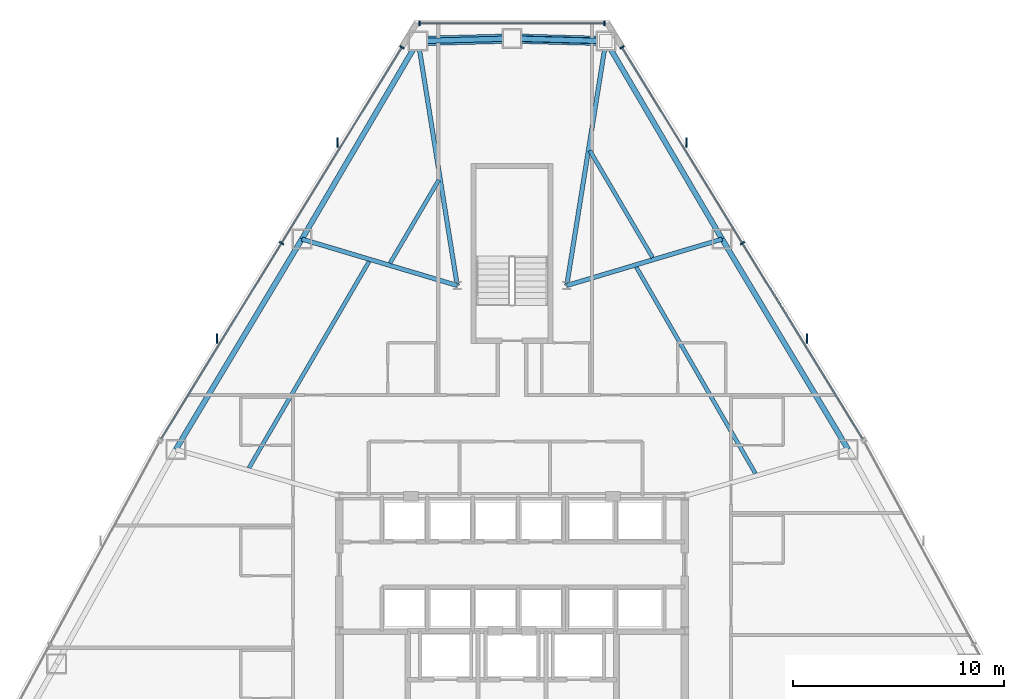
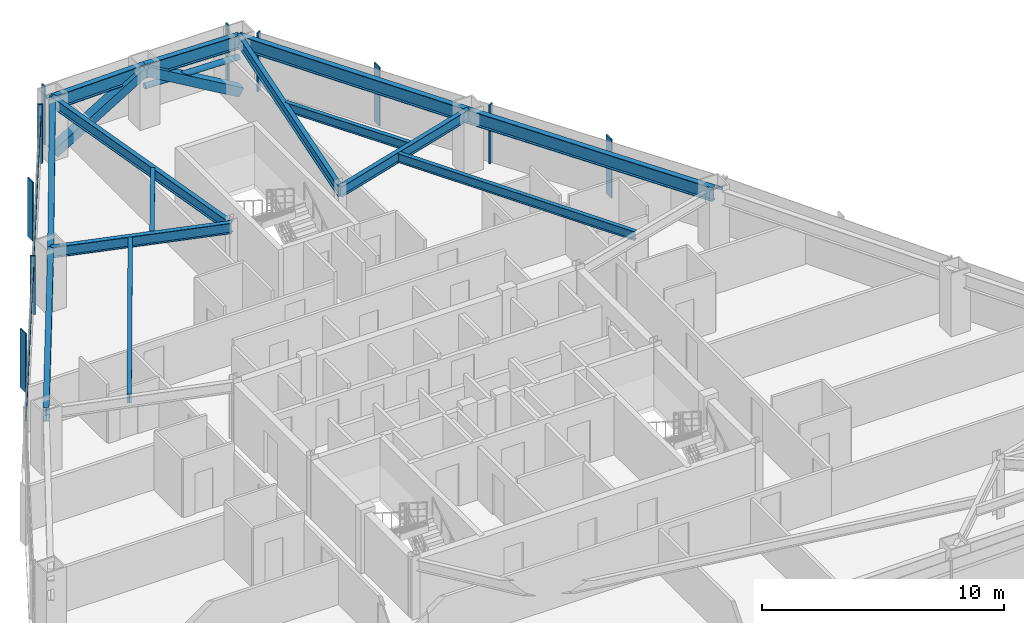
# One storey, part 7 of 14: 16 members, 14 beams, 3 elements without a shape of their own.
"""IFC4 building model written with IfcOpenShell, lengths in metres."""

from ifc_helpers import new_model, si_unit, direction, frame, origin, origin_2d, place, context, subcontext, project, spatial, rectangle, hollow_rectangle, hollow_circle, i_section, extrude, source, transform, mapped, material, layer, layer_set, material_profile, profile_set, type_object, type_shapes, element, aggregate, save


model = new_model("IFC4")

# Units and contexts
model_context = context("Model", 3, precision=1e-05, world=origin(), true_north=direction((0.0, 1.0)))
body_context = subcontext(model_context, "Body", "Model", "MODEL_VIEW")
ifc_project = project(units=[si_unit("LENGTHUNIT", "METRE"), si_unit("AREAUNIT", "SQUARE_METRE"), si_unit("VOLUMEUNIT", "CUBIC_METRE"), si_unit("PLANEANGLEUNIT", "RADIAN"), si_unit("MASSUNIT", "GRAM", prefix="KILO")], contexts=[model_context])

# Site, building, storey
site_placement = place(None, origin())
site = spatial("IfcSite", under=ifc_project, at=site_placement, CompositionType="ELEMENT")
building_placement = place(site_placement, origin())
building = spatial("IfcBuilding", under=site, at=building_placement, Name="Varakhsha Concourse Tower", CompositionType="ELEMENT")
storey_placement = place(building_placement, frame((0.0, 0.0, 105.39990234375)))
storey = spatial("IfcBuildingStorey", under=building, at=storey_placement, Name="L30", CompositionType="ELEMENT", Elevation=105.39990234375)

# Beams
ifc_material_1 = material(Name="Structural Steel ASTM A992 Grade 50", Category="steel")
ifc_material_profile_1 = material_profile(ifc_material_1, i_section(OverallWidth=0.19091796875, OverallDepth=0.45703125, WebThickness=0.009033203125, FlangeThickness=0.013916015625, at=origin_2d()), Name="W18X50")
ifc_profile_set_1 = profile_set([ifc_material_profile_1], Name="Structural Steel ASTM A992 Grade 50")
beam_type_1 = type_object("IfcBeamType", Name="BM-JST-W18X50", PredefinedType="JOIST", material=ifc_profile_set_1)
beam_1_placement = place(storey_placement, frame((36.526611328125, 46.212646484375, 2.74169921875), z_axis=(-0.50607121558, -0.862491695474, 0.0), x_axis=(0.862491695474, -0.50607121558, 0.0)))
element("IfcBeam", 1, at=beam_1_placement, inside=storey, type_object=beam_type_1, Name="BM-TJST-L30-03", PredefinedType="JOIST", context=body_context, shape_type="SweptSolid", body=[
    extrude(i_section(OverallWidth=0.19091796875, OverallDepth=0.45703125, WebThickness=0.009033203125, FlangeThickness=0.013916015625, at=origin_2d()), origin(), (0.0, 0.0, 1.0), 4.57763671875),
])
beam_2_placement = place(storey_placement, frame((33.2138671875, 42.339111328125, 2.74169921875), z_axis=(-0.502984798182, -0.864295257882, 0.0), x_axis=(0.864295257882, -0.502984798182, 0.0)))
element("IfcBeam", 2, at=beam_2_placement, inside=storey, type_object=beam_type_1, Name="BM-TJST-L30-04", PredefinedType="JOIST", context=body_context, shape_type="SweptSolid", body=[
    extrude(i_section(OverallWidth=0.19091796875, OverallDepth=0.45703125, WebThickness=0.009033203125, FlangeThickness=0.013916015625, at=origin_2d()), origin(), (0.0, 0.0, 1.0), 11.342529296875),
])
beam_3_placement = place(storey_placement, frame((51.560302734375, 32.27001953125, 2.74169921875), z_axis=(-0.499938383188, 0.866060975345, 0.0), x_axis=(-0.866060975345, -0.499938383188, 0.0)))
element("IfcBeam", 3, at=beam_3_placement, inside=storey, type_object=beam_type_1, Name="BM-TJST-L30-17", PredefinedType="JOIST", context=body_context, shape_type="SweptSolid", body=[
    extrude(i_section(OverallWidth=0.19091796875, OverallDepth=0.45703125, WebThickness=0.009033203125, FlangeThickness=0.013916015625, at=origin_2d()), origin(), (0.0, 0.0, 1.0), 11.32080078125),
])
beam_4_placement = place(storey_placement, frame((46.67529296875, 42.529052734375, 2.74169921875), z_axis=(-0.506102653482, 0.862473248361, 0.0), x_axis=(-0.862473248361, -0.506102653482, 0.0)))
element("IfcBeam", 4, at=beam_4_placement, inside=storey, type_object=beam_type_1, Name="BM-TJST-L30-18", PredefinedType="JOIST", context=body_context, shape_type="SweptSolid", body=[
    extrude(i_section(OverallWidth=0.19091796875, OverallDepth=0.45703125, WebThickness=0.009033203125, FlangeThickness=0.013916015625, at=origin_2d()), origin(), (0.0, 0.0, 1.0), 5.88623046875),
])
ifc_material_profile_2 = material_profile(ifc_material_1, i_section(OverallWidth=0.2109375, OverallDepth=0.5390625, WebThickness=0.011962890625, FlangeThickness=0.01904296875, at=origin_2d()), Name="W21X73")
ifc_profile_set_2 = profile_set([ifc_material_profile_2], Name="Structural Steel ASTM A992 Grade 50")
beam_type_2 = type_object("IfcBeamType", Name="BM-RAD-W21X73", PredefinedType="BEAM", material=ifc_profile_set_2)
for number, where, z_axis, x_axis, name in (
    (5, (42.60009765625, 41.199951171875, 2.70068359375), (0.158084457656, 0.987425594284, 0.0), (-0.987425594284, 0.158084457656, 0.0), "L30 Radial Floor Girder 01"),
    (6, (37.39990234375, 41.199951171875, 2.70068359375), (-0.158084457656, 0.987425594284, 0.0), (-0.987425594284, -0.158084457656, 0.0), "L30 Radial Floor Girder 03"),
):
    element("IfcBeam", number, at=place(storey_placement, frame(where, z_axis=z_axis, x_axis=x_axis)), inside=storey, type_object=beam_type_2, Name=name, PredefinedType="BEAM", context=body_context, shape_type="SweptSolid", body=[
        extrude(i_section(OverallWidth=0.2109375, OverallDepth=0.5390625, WebThickness=0.011962890625, FlangeThickness=0.01904296875, at=origin_2d()), origin(), (0.0, 0.0, 1.0), 11.755615234375),
    ])
for number, where, z_axis, x_axis, name in (
    (7, (37.39990234375, 41.199951171875, 2.70068359375), (-0.958150359445, 0.286265416519, 0.0), (-0.286265416519, -0.958150359445, 0.0), "L30 Radial Floor Girder 04"),
    (8, (42.60009765625, 41.199951171875, 2.70068359375), (0.958150359445, 0.286265416519, 0.0), (-0.286265416519, 0.958150359445, 0.0), "L30 Radial Floor Girder 18"),
):
    element("IfcBeam", number, at=place(storey_placement, frame(where, z_axis=z_axis, x_axis=x_axis)), inside=storey, type_object=beam_type_2, Name=name, PredefinedType="BEAM", context=body_context, shape_type="SweptSolid", body=[
        extrude(i_section(OverallWidth=0.2109375, OverallDepth=0.5390625, WebThickness=0.011962890625, FlangeThickness=0.01904296875, at=origin_2d()), origin(), (0.0, 0.0, 1.0), 7.69873046875),
    ])
ifc_material_profile_3 = material_profile(ifc_material_1, i_section(OverallWidth=0.25390625, OverallDepth=0.701904296875, WebThickness=0.014892578125, FlangeThickness=0.028076171875, at=origin_2d()), Name="W27X129")
ifc_profile_set_3 = profile_set([ifc_material_profile_3], Name="Structural Steel ASTM A992 Grade 50")
beam_type_3 = type_object("IfcBeamType", Name="BM-SPAN-W27X129", PredefinedType="SPANDREL", material=ifc_profile_set_3)
for number, where, z_axis, x_axis, name in (
    (9, (44.45849609375, 52.807861328125, 2.619140625), (-0.999638755759, 0.026876718272, 0.0), (-0.026876718272, -0.999638755759, 0.0), "BM-SPAN-L30-01"),
    (10, (40.0, 52.927734375, 2.619140625), (-0.999638755759, -0.026876718272, 0.0), (0.026876718272, -0.999638755759, 0.0), "BM-SPAN-L30-02"),
):
    element("IfcBeam", number, at=place(storey_placement, frame(where, z_axis=z_axis, x_axis=x_axis)), inside=storey, type_object=beam_type_3, Name=name, PredefinedType="SPANDREL", context=body_context, shape_type="SweptSolid", body=[
        extrude(i_section(OverallWidth=0.25390625, OverallDepth=0.701904296875, WebThickness=0.014892578125, FlangeThickness=0.028076171875, at=origin_2d()), origin(), (0.0, 0.0, 1.0), 4.460205078125),
    ])
beam_5_placement = place(storey_placement, frame((35.54150390625, 52.807861328125, 2.619140625), z_axis=(-0.506084350655, -0.86248398827, 0.0), x_axis=(0.86248398827, -0.506084350655, 0.0)))
element("IfcBeam", 11, at=beam_5_placement, inside=storey, type_object=beam_type_3, Name="BM-SPAN-L30-03", PredefinedType="SPANDREL", context=body_context, shape_type="SweptSolid", body=[
    extrude(i_section(OverallWidth=0.25390625, OverallDepth=0.701904296875, WebThickness=0.014892578125, FlangeThickness=0.028076171875, at=origin_2d()), origin(), (0.0, 0.0, 1.0), 10.903564453125),
])
for number, where, z_axis, x_axis, name in (
    (12, (30.0234375, 43.40380859375, 2.619140625), (-0.513999251176, -0.857790632841, 0.0), (0.857790632841, -0.513999251176, 0.0), "BM-SPAN-L30-04"),
    (13, (55.961669921875, 33.41552734375, 2.619140625), (-0.513999251176, 0.857790632841, 0.0), (-0.857790632841, -0.513999251176, 0.0), "BM-SPAN-L30-17"),
):
    element("IfcBeam", number, at=place(storey_placement, frame(where, z_axis=z_axis, x_axis=x_axis)), inside=storey, type_object=beam_type_3, Name=name, PredefinedType="SPANDREL", context=body_context, shape_type="SweptSolid", body=[
        extrude(i_section(OverallWidth=0.25390625, OverallDepth=0.701904296875, WebThickness=0.014892578125, FlangeThickness=0.028076171875, at=origin_2d()), origin(), (0.0, 0.0, 1.0), 11.644287109375),
    ])
beam_6_placement = place(storey_placement, frame((49.9765625, 43.40380859375, 2.619140625), z_axis=(-0.506084350655, 0.86248398827, 0.0), x_axis=(-0.86248398827, -0.506084350655, 0.0)))
element("IfcBeam", 14, at=beam_6_placement, inside=storey, type_object=beam_type_3, Name="BM-SPAN-L30-18", PredefinedType="SPANDREL", context=body_context, shape_type="SweptSolid", body=[
    extrude(i_section(OverallWidth=0.25390625, OverallDepth=0.701904296875, WebThickness=0.014892578125, FlangeThickness=0.028076171875, at=origin_2d()), origin(), (0.0, 0.0, 1.0), 10.903564453125),
])

# Members
ifc_material_2 = material(Name="Structural Steel ASTM A500 Grade C", Category="steel")
ifc_material_profile_4 = material_profile(ifc_material_2, hollow_rectangle(XDim=0.449951171875, YDim=0.449951171875, WallThickness=0.01904296875, at=origin_2d()), Name="HSS 450x450x19")
ifc_profile_set_4 = profile_set([ifc_material_profile_4], Name="Structural Steel ASTM A500 Grade C")
member_type_1 = type_object("IfcMemberType", Name="MB-TUBE-HSS450", PredefinedType="BRACE", material=ifc_profile_set_4)
shared_shape_1 = source(origin(), body_context, "Body", "SweptSolid", [
    extrude(hollow_rectangle(XDim=0.449951171875, YDim=0.449951171875, WallThickness=0.01904296875, at=origin_2d()), origin(), (0.0, 0.0, 1.0), 5.1376953125),
])
type_shapes(member_type_1, [shared_shape_1])
for number, where, z_axis, x_axis, name in (
    (15, (44.45849609375, 52.807861328125, 0.1201171875), (-0.867810778651, 0.023332334482, 0.496346708083), (-0.026876718272, -0.999638755759, 0.0), "L30 Wind-Corner Tube Brace B01"),
    (16, (35.54150390625, 52.807861328125, 0.1201171875), (0.867810778651, 0.023332334482, 0.496346708083), (-0.026876718272, 0.999638755759, 0.0), "L30 Wind-Corner Tube Brace B02"),
):
    element("IfcMember", number, at=place(storey_placement, frame(where, z_axis=z_axis, x_axis=x_axis)), inside=storey, type_object=member_type_1, Name=name, PredefinedType="BRACE", context=body_context, shape_type="MappedRepresentation", body=[
        mapped(shared_shape_1, transform((0.0, 0.0, 0.0), scale=1.0)),
    ])
ifc_material_profile_5 = material_profile(ifc_material_2, hollow_circle(Radius=0.136474609375, WallThickness=0.011962890625, at=origin_2d()), Name="CHS 273x12")
ifc_profile_set_5 = profile_set([ifc_material_profile_5], Name="Structural Steel ASTM A500 Grade C")
member_type_2 = type_object("IfcMemberType", Name="MB-WIND-CHS273", PredefinedType="COLLAR", material=ifc_profile_set_5)
shared_shape_2 = source(origin(), body_context, "Body", "SweptSolid", [
    extrude(hollow_circle(Radius=0.136474609375, WallThickness=0.011962890625, at=origin_2d()), origin(), (0.0, 0.0, 1.0), 4.460205078125),
])
type_shapes(member_type_2, [shared_shape_2])
member_1_placement = place(storey_placement, frame((44.45849609375, 52.807861328125, 1.800048828125), z_axis=(-0.999638755759, 0.026876718272, 0.0), x_axis=(-0.026876718272, -0.999638755759, 0.0)))
element("IfcMember", 17, at=member_1_placement, inside=storey, type_object=member_type_2, Name="L30 Wind-Corner Collar Tie 1", PredefinedType="COLLAR", context=body_context, shape_type="MappedRepresentation", body=[
    mapped(shared_shape_2, transform((0.0, 0.0, 0.0), scale=1.0)),
])

# Curtain wall, members
ifc_material_3 = material(Name="Anodised Bronze Architectural Aluminium AA 6063-T6", Category="aluminium")
ifc_layer = layer(ifc_material_3, 0.199951171875, Name="CW-SYS-03")
ifc_layer_set = layer_set([ifc_layer], Name="Anodised Bronze Architectural Aluminium AA 6063-T6")
curtain_wall_type = type_object("IfcCurtainWallType", Name="CW-SYS-03", PredefinedType="NOTDEFINED", material=ifc_layer_set)
curtain_wall_1_placement = place(storey_placement, origin())
curtain_wall_1 = element("IfcCurtainWall", 18, at=curtain_wall_1_placement, inside=storey, type_object=curtain_wall_type, Name="L30 Chamfer Curtain Wall F1", PredefinedType="NOTDEFINED")
ifc_material_profile_6 = material_profile(ifc_material_3, rectangle(XDim=0.074951171875, YDim=0.219970703125, at=origin_2d()), Name="CWM-220X75")
ifc_profile_set_6 = profile_set([ifc_material_profile_6], Name="Anodised Bronze Architectural Aluminium AA 6063-T6")
member_type_3 = type_object("IfcMemberType", Name="CWM-220X75", PredefinedType="MULLION", material=ifc_profile_set_6)
shared_shape_3 = source(origin(), body_context, "Body", "SweptSolid", [
    extrude(rectangle(XDim=0.074951171875, YDim=0.219970703125, at=origin_2d()), origin(), (0.0, 0.0, 1.0), 2.97021484375),
])
type_shapes(member_type_3, [shared_shape_3])
member_2_placement = place(storey_placement, frame((35.605712890625, 53.647705078125, 0.0), z_axis=(0.0, 0.0, 1.0), x_axis=(1.0, 0.0, 0.0)))
member_2 = element("IfcMember", 19, at=member_2_placement, type_object=member_type_3, Name="CW-L30-F1 Mullion 00", PredefinedType="MULLION", context=body_context, shape_type="MappedRepresentation", body=[
    mapped(shared_shape_3, transform((0.0, 0.0, 0.0), scale=1.0)),
])
member_3_placement = place(storey_placement, frame((44.394287109375, 53.647705078125, 0.0), z_axis=(0.0, 0.0, 1.0), x_axis=(1.0, 0.0, 0.0)))
member_3 = element("IfcMember", 20, at=member_3_placement, type_object=member_type_3, Name="CW-L30-F1 Mullion 01", PredefinedType="MULLION", context=body_context, shape_type="MappedRepresentation", body=[
    mapped(shared_shape_3, transform((0.0, 0.0, 0.0), scale=1.0)),
])

curtain_wall_2_placement = place(storey_placement, origin())
curtain_wall_2 = element("IfcCurtainWall", 21, at=curtain_wall_2_placement, inside=storey, type_object=curtain_wall_type, Name="L30 Crystal Curtain Wall F2", PredefinedType="NOTDEFINED")
member_4_placement = place(storey_placement, frame((29.059326171875, 43.210205078125, 0.0), z_axis=(0.0, 0.0, 1.0), x_axis=(0.523664775253, 0.851924411646, 0.0)))
member_4 = element("IfcMember", 22, at=member_4_placement, type_object=member_type_3, Name="CW-L30-F2 Mullion 01", PredefinedType="MULLION", context=body_context, shape_type="MappedRepresentation", body=[
    mapped(shared_shape_3, transform((0.0, 0.0, 0.0), scale=1.0)),
])
member_5_placement = place(storey_placement, frame((34.7783203125, 52.514404296875, 0.0), z_axis=(0.0, 0.0, 1.0), x_axis=(0.523664775253, 0.851924411646, 0.0)))
member_5 = element("IfcMember", 23, at=member_5_placement, type_object=member_type_3, Name="CW-L30-F2 Mullion 02", PredefinedType="MULLION", context=body_context, shape_type="MappedRepresentation", body=[
    mapped(shared_shape_3, transform((0.0, 0.0, 0.0), scale=1.0)),
])

curtain_wall_3_placement = place(storey_placement, origin())
curtain_wall_3 = element("IfcCurtainWall", 24, at=curtain_wall_3_placement, inside=storey, type_object=curtain_wall_type, Name="L30 Crystal Curtain Wall F9", PredefinedType="NOTDEFINED")
member_6_placement = place(storey_placement, frame((45.2216796875, 52.514404296875, 0.0), z_axis=(0.0, 0.0, 1.0), x_axis=(0.523664775253, -0.851924411646, 0.0)))
member_6 = element("IfcMember", 25, at=member_6_placement, type_object=member_type_3, Name="CW-L30-F9 Mullion 00", PredefinedType="MULLION", context=body_context, shape_type="MappedRepresentation", body=[
    mapped(shared_shape_3, transform((0.0, 0.0, 0.0), scale=1.0)),
])
member_7_placement = place(storey_placement, frame((50.94091796875, 43.210205078125, 0.0), z_axis=(0.0, 0.0, 1.0), x_axis=(0.523664775253, -0.851924411646, 0.0)))
member_7 = element("IfcMember", 26, at=member_7_placement, type_object=member_type_3, Name="CW-L30-F9 Mullion 01", PredefinedType="MULLION", context=body_context, shape_type="MappedRepresentation", body=[
    mapped(shared_shape_3, transform((0.0, 0.0, 0.0), scale=1.0)),
])

# Member
ifc_material_profile_7 = material_profile(ifc_material_3, rectangle(XDim=0.06494140625, YDim=0.449951171875, at=origin_2d()), Name="FIN-BRZ-450")
ifc_profile_set_7 = profile_set([ifc_material_profile_7], Name="Anodised Bronze Architectural Aluminium AA 6063-T6")
member_type_4 = type_object("IfcMemberType", Name="FIN-BRZ-450", PredefinedType="USERDEFINED", material=ifc_profile_set_7)
shared_shape_4 = source(origin(), body_context, "Body", "SweptSolid", [
    extrude(rectangle(XDim=0.06494140625, YDim=0.449951171875, at=origin_2d()), origin(), (0.0, 0.0, 1.0), 2.97021484375),
])
type_shapes(member_type_4, [shared_shape_4])
member_8_placement = place(storey_placement, frame((25.9951171875, 38.68359375, 0.0), z_axis=(0.0, 0.0, 1.0), x_axis=(1.0, 0.0, 0.0)))
member_8 = element("IfcMember", 27, at=member_8_placement, type_object=member_type_4, Name="L30 Anodised Bronze Solar Fin F2-1", ObjectType="SOLAR FIN", PredefinedType="USERDEFINED", context=body_context, shape_type="MappedRepresentation", body=[
    mapped(shared_shape_4, transform((0.0, 0.0, 0.0), scale=1.0)),
])

member_9_placement = place(storey_placement, frame((31.71435546875, 47.98779296875, 0.0), z_axis=(0.0, 0.0, 1.0), x_axis=(1.0, 0.0, 0.0)))
member_9 = element("IfcMember", 28, at=member_9_placement, type_object=member_type_4, Name="L30 Anodised Bronze Solar Fin F2-2", ObjectType="SOLAR FIN", PredefinedType="USERDEFINED", context=body_context, shape_type="MappedRepresentation", body=[
    mapped(shared_shape_4, transform((0.0, 0.0, 0.0), scale=1.0)),
])

member_10_placement = place(storey_placement, frame((48.28564453125, 47.98779296875, 0.0), z_axis=(0.0, 0.0, 1.0), x_axis=(1.0, 0.0, 0.0)))
member_10 = element("IfcMember", 29, at=member_10_placement, type_object=member_type_4, Name="L30 Anodised Bronze Solar Fin F9-1", ObjectType="SOLAR FIN", PredefinedType="USERDEFINED", context=body_context, shape_type="MappedRepresentation", body=[
    mapped(shared_shape_4, transform((0.0, 0.0, 0.0), scale=1.0)),
])

member_11_placement = place(storey_placement, frame((54.0048828125, 38.68359375, 0.0), z_axis=(0.0, 0.0, 1.0), x_axis=(1.0, 0.0, 0.0)))
member_11 = element("IfcMember", 30, at=member_11_placement, type_object=member_type_4, Name="L30 Anodised Bronze Solar Fin F9-2", ObjectType="SOLAR FIN", PredefinedType="USERDEFINED", context=body_context, shape_type="MappedRepresentation", body=[
    mapped(shared_shape_4, transform((0.0, 0.0, 0.0), scale=1.0)),
])

ifc_material_profile_8 = material_profile(ifc_material_3, rectangle(XDim=0.06494140625, YDim=0.159912109375, at=origin_2d()), Name="CWT-160X65")
ifc_profile_set_8 = profile_set([ifc_material_profile_8], Name="Anodised Bronze Architectural Aluminium AA 6063-T6")
member_type_5 = type_object("IfcMemberType", Name="CWT-160X65", PredefinedType="USERDEFINED", material=ifc_profile_set_8)
shared_shape_5 = source(origin(), body_context, "Body", "SweptSolid", [
    extrude(rectangle(XDim=0.06494140625, YDim=0.159912109375, at=origin_2d()), origin(), (0.0, 0.0, 1.0), 8.78857421875),
])
member_12_placement = place(storey_placement, frame((35.605712890625, 53.647705078125, 2.320068359375), z_axis=(1.0, 0.0, 0.0), x_axis=(0.0, 1.0, 0.0)))
member_12 = element("IfcMember", 31, at=member_12_placement, type_object=member_type_5, Name="CW-L30-F1 Transom 01", ObjectType="TRANSOM", PredefinedType="USERDEFINED", context=body_context, shape_type="MappedRepresentation", body=[
    mapped(shared_shape_5, transform((0.0, 0.0, 0.0), scale=1.0)),
])

aggregate(curtain_wall_1, [member_2, member_3, member_12])

shared_shape_6 = source(origin(), body_context, "Body", "SweptSolid", [
    extrude(rectangle(XDim=0.06494140625, YDim=0.159912109375, at=origin_2d()), origin(), (0.0, 0.0, 1.0), 21.8427734375),
])
type_shapes(member_type_5, [shared_shape_5, shared_shape_6])
member_13_placement = place(storey_placement, frame((23.340087890625, 33.906005859375, 2.320068359375), z_axis=(0.523662694099, 0.851925690896, 0.0), x_axis=(-0.851925690896, 0.523662694099, 0.0)))
member_13 = element("IfcMember", 32, at=member_13_placement, type_object=member_type_5, Name="CW-L30-F2 Transom 01", ObjectType="TRANSOM", PredefinedType="USERDEFINED", context=body_context, shape_type="MappedRepresentation", body=[
    mapped(shared_shape_6, transform((0.0, 0.0, 0.0), scale=1.0)),
])

aggregate(curtain_wall_2, [member_4, member_5, member_13, member_8, member_9])

member_14_placement = place(storey_placement, frame((45.2216796875, 52.514404296875, 2.320068359375), z_axis=(0.523662694099, -0.851925690896, 0.0), x_axis=(0.851925690896, 0.523662694099, 0.0)))
member_14 = element("IfcMember", 33, at=member_14_placement, type_object=member_type_5, Name="CW-L30-F9 Transom 01", ObjectType="TRANSOM", PredefinedType="USERDEFINED", context=body_context, shape_type="MappedRepresentation", body=[
    mapped(shared_shape_6, transform((0.0, 0.0, 0.0), scale=1.0)),
])

aggregate(curtain_wall_3, [member_6, member_7, member_14, member_10, member_11])

save(model, "model.ifc")
